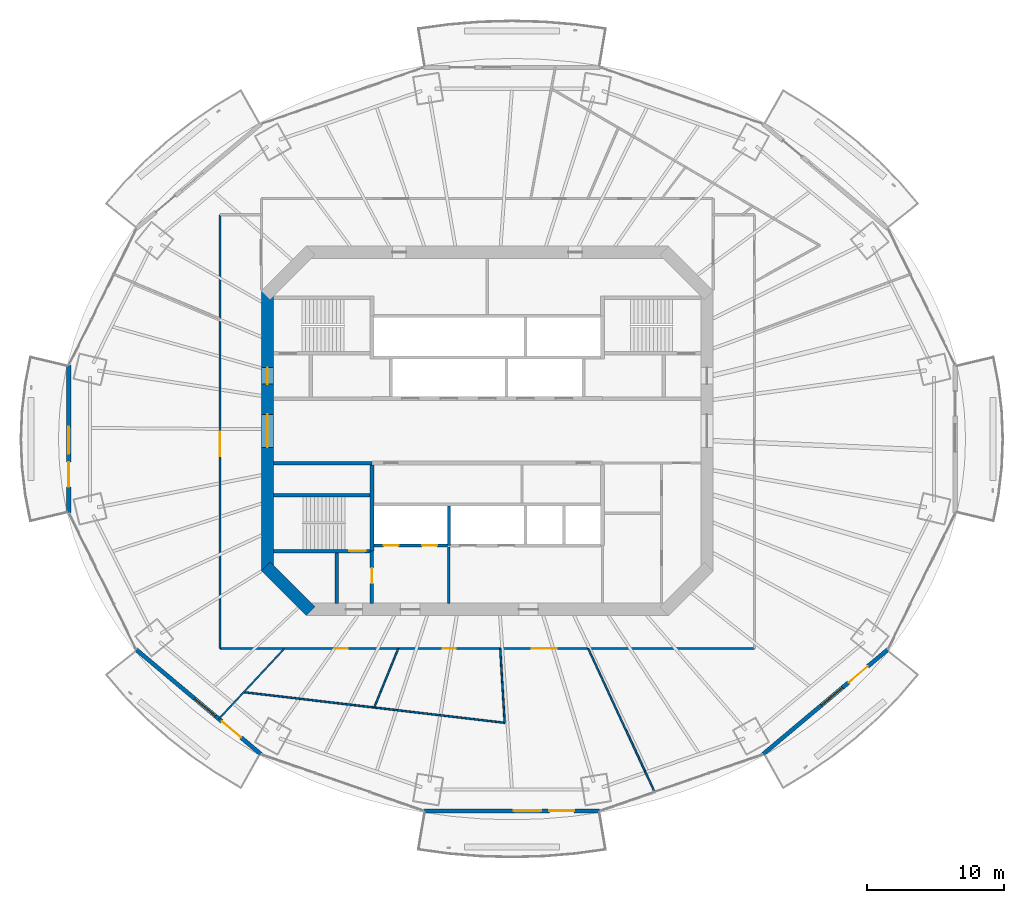
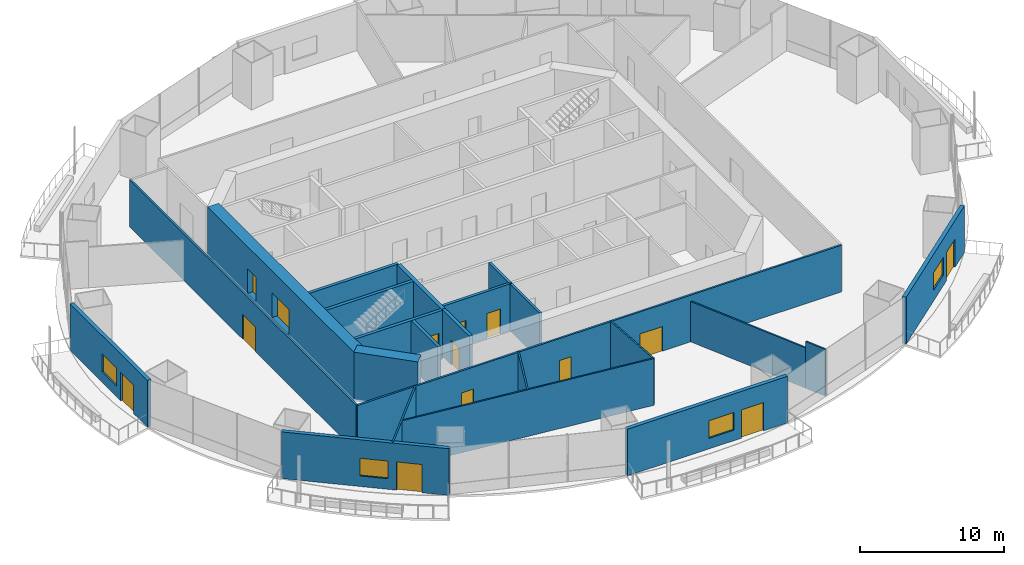
# One storey, part 12 of 21: 23 walls, 14 doors, 4 windows, 18 openings.
"""IFC4 building model written with IfcOpenShell, lengths in metres."""

from ifc_helpers import new_model, si_unit, direction, frame, frame_2d, origin, place, context, subcontext, project, spatial, rectangle, extrude, material, layer, layer_set, type_object, element, fill, save


model = new_model("IFC4")

# Units and contexts
model_context = context("Model", 3, precision=1e-05, world=origin(), true_north=direction((0.0, 1.0)))
body_context = subcontext(model_context, "Body", "Model", "MODEL_VIEW")
ifc_project = project(units=[si_unit("LENGTHUNIT", "METRE"), si_unit("AREAUNIT", "SQUARE_METRE"), si_unit("VOLUMEUNIT", "CUBIC_METRE"), si_unit("PLANEANGLEUNIT", "RADIAN"), si_unit("MASSUNIT", "GRAM", prefix="KILO")], contexts=[model_context])

# Site, building, storey
site_placement = place(None, origin())
site = spatial("IfcSite", under=ifc_project, at=site_placement, CompositionType="ELEMENT")
building_placement = place(site_placement, origin())
building = spatial("IfcBuilding", under=site, at=building_placement, Name="Marenthal Gate Tower", CompositionType="ELEMENT")
storey_placement = place(building_placement, frame((0.0, 0.0, 161.050048828125)))
storey = spatial("IfcBuildingStorey", under=building, at=storey_placement, Name="L34", CompositionType="ELEMENT", Elevation=161.050048828125)

# Wall, openings, doors
ifc_material_1 = material(Name="Concrete 60 MPa", Category="concrete")
ifc_layer_1 = layer(ifc_material_1, 0.89990234375)
ifc_layer_set_1 = layer_set([ifc_layer_1], Name="Core shear wall 900")
wall_type_1 = type_object("IfcWallType", Name="Core shear wall 900", PredefinedType="SHEAR", material=ifc_layer_set_1)
wall_1_placement = place(storey_placement, frame((-16.0, 10.186279296875, -0.179931640625), z_axis=(0.0, 0.0, 1.0), x_axis=(0.0, -1.0, 0.0)))
wall_1 = element("IfcWall", 1, at=wall_1_placement, inside=storey, type_object=wall_type_1, Name="Core wall 06", PredefinedType="SHEAR", context=body_context, shape_type="SweptSolid", body=[
    extrude(rectangle(XDim=20.37255859375, YDim=0.89990234375, at=frame_2d((10.186279296875, 0.0))), origin(), (0.0, 0.0, 1.0), 4.14990234375),
])
opening_1_placement = place(wall_1_placement, frame((8.986328125, 0.0, 0.179931640625)))
opening_1 = element("IfcOpeningElement", 2, at=opening_1_placement, cuts=wall_1, Name="Opening D003.01", PredefinedType="OPENING", context=body_context, shape_type="SweptSolid", body=[
    extrude(rectangle(XDim=2.39990234375, YDim=2.10009765625, at=frame_2d((1.199951171875, 1.050048828125))), frame((0.0, 0.4599609375, 0.0), z_axis=(0.0, -1.0, 0.0), x_axis=(1.0, 0.0, 0.0)), (0.0, 0.0, 1.0), 0.919921875),
])
opening_2_placement = place(wall_1_placement, frame((5.58642578125, 0.0, 0.179931640625)))
opening_2 = element("IfcOpeningElement", 3, at=opening_2_placement, cuts=wall_1, Name="Opening D001.04", PredefinedType="OPENING", context=body_context, shape_type="SweptSolid", body=[
    extrude(rectangle(XDim=1.199951171875, YDim=2.10009765625, at=frame_2d((0.60009765625, 1.050048828125))), frame((0.0, 0.4599609375, 0.0), z_axis=(0.0, -1.0, 0.0), x_axis=(1.0, 0.0, 0.0)), (0.0, 0.0, 1.0), 0.919921875),
])
ifc_material_2 = material(Name="Steel fire door", Category="steel")
door_type_1 = type_object("IfcDoorType", Name="Double fire door FD 45 2400 x 2100", OperationType="DOUBLE_DOOR_SINGLE_SWING", PredefinedType="DOOR", material=ifc_material_2)
door_1_placement = place(opening_1_placement, origin())
door_1 = element("IfcDoor", 4, at=door_1_placement, inside=storey, type_object=door_type_1, Name="Door D003.01", OperationType="DOUBLE_DOOR_SINGLE_SWING", OverallHeight=2.10009765625, OverallWidth=2.39990234375, PredefinedType="DOOR", context=body_context, shape_type="SweptSolid", body=[
    extrude(rectangle(XDim=2.39990234375, YDim=2.10009765625, at=frame_2d((1.199951171875, 1.050048828125))), frame((0.0, 0.02490234375, 0.0), z_axis=(0.0, -1.0, 0.0), x_axis=(1.0, 0.0, 0.0)), (0.0, 0.0, 1.0), 0.050048828125),
])
fill(opening_1, door_1)
ifc_material_3 = material(Name="Steel fire door", Category="steel")
door_type_2 = type_object("IfcDoorType", Name="Fire door FD 90 1200 x 2100", OperationType="NOTDEFINED", PredefinedType="DOOR", material=ifc_material_3)
door_2_placement = place(opening_2_placement, origin())
door_2 = element("IfcDoor", 5, at=door_2_placement, inside=storey, type_object=door_type_2, Name="Door D001.04", OperationType="SINGLE_SWING_RIGHT", OverallHeight=2.10009765625, OverallWidth=1.199951171875, PredefinedType="DOOR", context=body_context, shape_type="SweptSolid", body=[
    extrude(rectangle(XDim=1.199951171875, YDim=2.10009765625, at=frame_2d((0.60009765625, 1.050048828125))), frame((0.0, 0.02490234375, 0.0), z_axis=(0.0, -1.0, 0.0), x_axis=(1.0, 0.0, 0.0)), (0.0, 0.0, 1.0), 0.050048828125),
])
fill(opening_2, door_2)

# Walls
wall_2_placement = place(storey_placement, frame((-16.1318359375, -9.8681640625, -0.179931640625), z_axis=(0.0, 0.0, 1.0), x_axis=(0.707106781187, -0.707106781187, 0.0)))
element("IfcWall", 6, at=wall_2_placement, inside=storey, type_object=wall_type_1, Name="Core wall 07", PredefinedType="SHEAR", context=body_context, shape_type="SweptSolid", body=[
    extrude(rectangle(XDim=4.615478515625, YDim=0.89990234375, at=frame_2d((2.3076171875, 0.0))), origin(), (0.0, 0.0, 1.0), 4.14990234375),
])
ifc_material_4 = material(Name="Gypsum board on steel studs", Category="steel")
ifc_layer_2 = layer(ifc_material_4, 0.199951171875)
ifc_layer_set_2 = layer_set([ifc_layer_2], Name="Fire lobby wall 200")
wall_type_2 = type_object("IfcWallType", Name="Fire lobby wall 200", PredefinedType="PARTITIONING", material=ifc_layer_set_2)
wall_3_placement = place(storey_placement, frame((-2.800048828125, -12.550048828125, 0.0), z_axis=(0.0, 0.0, 1.0), x_axis=(0.0, 1.0, 0.0)))
element("IfcWall", 7, at=wall_3_placement, inside=storey, type_object=wall_type_2, Name="Fire wall 34", PredefinedType="PARTITIONING", context=body_context, shape_type="SweptSolid", body=[
    extrude(rectangle(XDim=4.090087890625, YDim=0.199951171875, at=frame_2d((2.044921875, 0.0))), origin(), (0.0, 0.0, 1.0), 3.969970703125),
])
ifc_material_5 = material(Name="Concrete 50 MPa", Category="concrete")
ifc_layer_3 = layer(ifc_material_5, 0.300048828125)
ifc_layer_set_3 = layer_set([ifc_layer_3], Name="Hoistway shear wall 300")
wall_type_3 = type_object("IfcWallType", Name="Hoistway shear wall 300", PredefinedType="SHEAR", material=ifc_layer_set_3)
wall_4_placement = place(storey_placement, frame((-8.39990234375, -8.75, -0.179931640625), z_axis=(0.0, 0.0, 1.0), x_axis=(0.0, 1.0, 0.0)))
element("IfcWall", 8, at=wall_4_placement, inside=storey, type_object=wall_type_3, Name="Hoistway wall 30", PredefinedType="SHEAR", context=body_context, shape_type="SweptSolid", body=[
    extrude(rectangle(XDim=6.25, YDim=0.300048828125, at=frame_2d((3.125, 0.0))), origin(), (0.0, 0.0, 1.0), 4.14990234375),
])

# Wall, openings, doors
ifc_material_6 = material(Name="Concrete 40 MPa", Category="concrete")
ifc_layer_4 = layer(ifc_material_6, 0.219970703125)
ifc_layer_set_4 = layer_set([ifc_layer_4], Name="Hoistway wall 220")
wall_type_4 = type_object("IfcWallType", Name="Hoistway wall 220", PredefinedType="STANDARD", material=ifc_layer_set_4)
wall_5_placement = place(storey_placement, frame((-8.25, -8.35009765625, 0.0), z_axis=(0.0, 0.0, 1.0), x_axis=(1.0, 0.0, 0.0)))
wall_5 = element("IfcWall", 9, at=wall_5_placement, inside=storey, type_object=wall_type_4, Name="Hoistway wall 10", PredefinedType="STANDARD", context=body_context, shape_type="SweptSolid", body=[
    extrude(rectangle(XDim=5.340087890625, YDim=0.219970703125, at=frame_2d((2.669921875, 0.0))), origin(), (0.0, 0.0, 1.0), 3.969970703125),
])
opening_3_placement = place(wall_5_placement, frame((0.699951171875, 0.0, 0.0)))
opening_3 = element("IfcOpeningElement", 10, at=opening_3_placement, cuts=wall_5, Name="Opening LD-LF1", PredefinedType="OPENING", context=body_context, shape_type="SweptSolid", body=[
    extrude(rectangle(XDim=1.10009765625, YDim=2.10009765625, at=frame_2d((0.550048828125, 1.050048828125))), frame((0.0, 0.1201171875, 0.0), z_axis=(0.0, -1.0, 0.0), x_axis=(1.0, 0.0, 0.0)), (0.0, 0.0, 1.0), 0.239990234375),
])
opening_4_placement = place(wall_5_placement, frame((3.5, 0.0, 0.0)))
opening_4 = element("IfcOpeningElement", 11, at=opening_4_placement, cuts=wall_5, Name="Opening LD-LF2", PredefinedType="OPENING", context=body_context, shape_type="SweptSolid", body=[
    extrude(rectangle(XDim=1.10009765625, YDim=2.10009765625, at=frame_2d((0.550048828125, 1.050048828125))), frame((0.0, 0.1201171875, 0.0), z_axis=(0.0, -1.0, 0.0), x_axis=(1.0, 0.0, 0.0)), (0.0, 0.0, 1.0), 0.239990234375),
])
ifc_material_7 = material(Name="Stainless steel sliding door", Category="steel")
door_type_3 = type_object("IfcDoorType", Name="Lift landing door FD 90 1100 x 2100", OperationType="DOUBLE_DOOR_SLIDING", PredefinedType="DOOR", material=ifc_material_7)
door_3_placement = place(opening_3_placement, origin())
door_3 = element("IfcDoor", 12, at=door_3_placement, inside=storey, type_object=door_type_3, Name="Lift landing door LF1", OperationType="DOUBLE_DOOR_SLIDING", OverallHeight=2.10009765625, OverallWidth=1.10009765625, PredefinedType="DOOR", context=body_context, shape_type="SweptSolid", body=[
    extrude(rectangle(XDim=1.10009765625, YDim=2.10009765625, at=frame_2d((0.550048828125, 1.050048828125))), frame((0.0, 0.02490234375, 0.0), z_axis=(0.0, -1.0, 0.0), x_axis=(1.0, 0.0, 0.0)), (0.0, 0.0, 1.0), 0.050048828125),
])
fill(opening_3, door_3)
door_4_placement = place(opening_4_placement, origin())
door_4 = element("IfcDoor", 13, at=door_4_placement, inside=storey, type_object=door_type_3, Name="Lift landing door LF2", OperationType="DOUBLE_DOOR_SLIDING", OverallHeight=2.10009765625, OverallWidth=1.10009765625, PredefinedType="DOOR", context=body_context, shape_type="SweptSolid", body=[
    extrude(rectangle(XDim=1.10009765625, YDim=2.10009765625, at=frame_2d((0.550048828125, 1.050048828125))), frame((0.0, 0.02490234375, 0.0), z_axis=(0.0, -1.0, 0.0), x_axis=(1.0, 0.0, 0.0)), (0.0, 0.0, 1.0), 0.050048828125),
])
fill(opening_4, door_4)

# Walls
wall_6_placement = place(storey_placement, frame((-2.800048828125, -8.35009765625, 0.0), z_axis=(0.0, 0.0, 1.0), x_axis=(0.0, 1.0, 0.0)))
element("IfcWall", 14, at=wall_6_placement, inside=storey, type_object=wall_type_4, Name="Hoistway wall 35", PredefinedType="STANDARD", context=body_context, shape_type="SweptSolid", body=[
    extrude(rectangle(XDim=2.89013671875, YDim=0.219970703125, at=frame_2d((1.445068359375, 0.0))), origin(), (0.0, 0.0, 1.0), 3.969970703125),
])
ifc_material_8 = material(Name="Gypsum board on steel studs", Category="steel")
ifc_layer_5 = layer(ifc_material_8, 0.1201171875)
ifc_layer_set_5 = layer_set([ifc_layer_5], Name="Partition 120")
wall_type_5 = type_object("IfcWallType", Name="Partition 120", PredefinedType="PARTITIONING", material=ifc_layer_set_5)
wall_7_placement = place(storey_placement, frame((-17.72900390625, -19.025390625, 0.0), z_axis=(0.0, 0.0, 1.0), x_axis=(0.99318471995, -0.116550899001, 0.0)))
element("IfcWall", 15, at=wall_7_placement, inside=storey, type_object=wall_type_5, Name="Partition wall 52", PredefinedType="PARTITIONING", context=body_context, shape_type="SweptSolid", body=[
    extrude(rectangle(XDim=19.124755859375, YDim=0.1201171875, at=frame_2d((9.5625, 0.0))), origin(), (0.0, 0.0, 1.0), 3.969970703125),
])
wall_8_placement = place(storey_placement, frame((-14.77001953125, -15.85009765625, 0.0), z_axis=(0.0, 0.0, 1.0), x_axis=(-0.681748932873, -0.731586216742, 0.0)))
element("IfcWall", 16, at=wall_8_placement, inside=storey, type_object=wall_type_5, Name="Partition wall 55", PredefinedType="PARTITIONING", context=body_context, shape_type="SweptSolid", body=[
    extrude(rectangle(XDim=7.000244140625, YDim=0.1201171875, at=frame_2d((3.5, 0.0))), origin(), (0.0, 0.0, 1.0), 3.969970703125),
])
wall_9_placement = place(storey_placement, frame((-8.231689453125, -20.139892578125, 0.0), z_axis=(0.0, 0.0, 1.0), x_axis=(0.378310762155, 0.925678652253, 0.0)))
element("IfcWall", 17, at=wall_9_placement, inside=storey, type_object=wall_type_5, Name="Partition wall 56", PredefinedType="PARTITIONING", context=body_context, shape_type="SweptSolid", body=[
    extrude(rectangle(XDim=4.63427734375, YDim=0.1201171875, at=frame_2d((2.317138671875, 0.0))), origin(), (0.0, 0.0, 1.0), 3.969970703125),
])
wall_10_placement = place(storey_placement, frame((1.265380859375, -21.25439453125, 0.0), z_axis=(0.0, 0.0, 1.0), x_axis=(-0.059435758529, 0.998232132627, 0.0)))
element("IfcWall", 18, at=wall_10_placement, inside=storey, type_object=wall_type_5, Name="Partition wall 57", PredefinedType="PARTITIONING", context=body_context, shape_type="SweptSolid", body=[
    extrude(rectangle(XDim=5.413818359375, YDim=0.1201171875, at=frame_2d((2.70703125, 0.0))), origin(), (0.0, 0.0, 1.0), 3.969970703125),
])
wall_11_placement = place(storey_placement, frame((7.34521484375, -15.85009765625, 0.0), z_axis=(0.0, 0.0, 1.0), x_axis=(0.420462507065, -0.90730991406, 0.0)))
element("IfcWall", 19, at=wall_11_placement, inside=storey, type_object=wall_type_5, Name="Partition wall 59", PredefinedType="PARTITIONING", context=body_context, shape_type="SweptSolid", body=[
    extrude(rectangle(XDim=9.84130859375, YDim=0.1201171875, at=frame_2d((4.920654296875, 0.0))), origin(), (0.0, 0.0, 1.0), 3.426025390625),
])
wall_12_placement = place(storey_placement, frame((11.483154296875, -24.779296875, 0.0), z_axis=(0.0, 0.0, 1.0), x_axis=(0.420419662211, -0.90732976785, 0.0)))
element("IfcWall", 20, at=wall_12_placement, inside=storey, type_object=wall_type_5, Name="Partition wall 71", PredefinedType="PARTITIONING", context=body_context, shape_type="SweptSolid", body=[
    extrude(rectangle(XDim=1.65966796875, YDim=0.1201171875, at=frame_2d((0.829833984375, 0.0))), origin(), (0.0, 0.0, 1.0), 3.969970703125),
])

# Wall, opening, door
ifc_material_9 = material(Name="Gypsum board on steel studs", Category="steel")
ifc_layer_6 = layer(ifc_material_9, 0.14990234375)
ifc_layer_set_6 = layer_set([ifc_layer_6], Name="Partition 150")
wall_type_6 = type_object("IfcWallType", Name="Partition 150", PredefinedType="PARTITIONING", material=ifc_layer_set_6)
wall_13_placement = place(storey_placement, frame((-19.449951171875, -15.85009765625, 0.0), z_axis=(0.0, 0.0, 1.0), x_axis=(0.0, 1.0, 0.0)))
wall_13 = element("IfcWall", 21, at=wall_13_placement, inside=storey, type_object=wall_type_6, Name="Partition wall 49", PredefinedType="PARTITIONING", context=body_context, shape_type="SweptSolid", body=[
    extrude(rectangle(XDim=31.581787109375, YDim=0.14990234375, at=frame_2d((15.791015625, 0.0))), origin(), (0.0, 0.0, 1.0), 3.969970703125),
])
opening_5_placement = place(wall_13_placement, frame((14.0029296875, 0.0, 0.0)))
opening_5 = element("IfcOpeningElement", 22, at=opening_5_placement, cuts=wall_13, Name="Opening D014.02", PredefinedType="OPENING", context=body_context, shape_type="SweptSolid", body=[
    extrude(rectangle(XDim=1.800048828125, YDim=2.10009765625, at=frame_2d((0.89990234375, 1.050048828125))), frame((0.0, 0.0849609375, 0.0), z_axis=(0.0, -1.0, 0.0), x_axis=(1.0, 0.0, 0.0)), (0.0, 0.0, 1.0), 0.169921875),
])
ifc_material_10 = material(Name="Timber door", Category="wood")
door_type_4 = type_object("IfcDoorType", Name="Double door 1800 x 2100", OperationType="DOUBLE_DOOR_SINGLE_SWING", PredefinedType="DOOR", material=ifc_material_10)
door_5_placement = place(opening_5_placement, origin())
door_5 = element("IfcDoor", 23, at=door_5_placement, inside=storey, type_object=door_type_4, Name="Door D014.02", OperationType="DOUBLE_DOOR_SINGLE_SWING", OverallHeight=2.10009765625, OverallWidth=1.800048828125, PredefinedType="DOOR", context=body_context, shape_type="SweptSolid", body=[
    extrude(rectangle(XDim=1.800048828125, YDim=2.10009765625, at=frame_2d((0.89990234375, 1.050048828125))), frame((0.0, 0.02490234375, 0.0), z_axis=(0.0, -1.0, 0.0), x_axis=(1.0, 0.0, 0.0)), (0.0, 0.0, 1.0), 0.050048828125),
])
fill(opening_5, door_5)

# Wall, openings, doors
wall_14_placement = place(storey_placement, frame((19.449951171875, -15.85009765625, 0.0), z_axis=(0.0, 0.0, 1.0), x_axis=(-1.0, 0.0, 0.0)))
wall_14 = element("IfcWall", 24, at=wall_14_placement, inside=storey, type_object=wall_type_6, Name="Partition wall 65", PredefinedType="PARTITIONING", context=body_context, shape_type="SweptSolid", body=[
    extrude(rectangle(XDim=38.89990234375, YDim=0.14990234375, at=frame_2d((19.449951171875, 0.0))), origin(), (0.0, 0.0, 1.0), 3.969970703125),
])
opening_6_placement = place(wall_14_placement, frame((29.59912109375, 0.0, 0.0)))
opening_6 = element("IfcOpeningElement", 25, at=opening_6_placement, cuts=wall_14, Name="Opening D016.06", PredefinedType="OPENING", context=body_context, shape_type="SweptSolid", body=[
    extrude(rectangle(XDim=0.949951171875, YDim=2.10009765625, at=frame_2d((0.47509765625, 1.050048828125))), frame((0.0, 0.0849609375, 0.0), z_axis=(0.0, -1.0, 0.0), x_axis=(1.0, 0.0, 0.0)), (0.0, 0.0, 1.0), 0.169921875),
])
opening_7_placement = place(wall_14_placement, frame((21.741943359375, 0.0, 0.0)))
opening_7 = element("IfcOpeningElement", 26, at=opening_7_placement, cuts=wall_14, Name="Opening D016.07", PredefinedType="OPENING", context=body_context, shape_type="SweptSolid", body=[
    extrude(rectangle(XDim=0.949951171875, YDim=2.10009765625, at=frame_2d((0.47509765625, 1.050048828125))), frame((0.0, 0.0849609375, 0.0), z_axis=(0.0, -1.0, 0.0), x_axis=(1.0, 0.0, 0.0)), (0.0, 0.0, 1.0), 0.169921875),
])
opening_8_placement = place(wall_14_placement, frame((14.406005859375, 0.0, 0.0)))
opening_8 = element("IfcOpeningElement", 27, at=opening_8_placement, cuts=wall_14, Name="Opening D014.03", PredefinedType="OPENING", context=body_context, shape_type="SweptSolid", body=[
    extrude(rectangle(XDim=1.800048828125, YDim=2.10009765625, at=frame_2d((0.89990234375, 1.050048828125))), frame((0.0, 0.0849609375, 0.0), z_axis=(0.0, -1.0, 0.0), x_axis=(1.0, 0.0, 0.0)), (0.0, 0.0, 1.0), 0.169921875),
])
ifc_material_11 = material(Name="Timber door", Category="wood")
door_type_5 = type_object("IfcDoorType", Name="Door 950 x 2100", OperationType="NOTDEFINED", PredefinedType="DOOR", material=ifc_material_11)
door_6_placement = place(opening_6_placement, origin())
door_6 = element("IfcDoor", 28, at=door_6_placement, inside=storey, type_object=door_type_5, Name="Door D016.06", OperationType="SINGLE_SWING_RIGHT", OverallHeight=2.10009765625, OverallWidth=0.949951171875, PredefinedType="DOOR", context=body_context, shape_type="SweptSolid", body=[
    extrude(rectangle(XDim=0.949951171875, YDim=2.10009765625, at=frame_2d((0.47509765625, 1.050048828125))), frame((0.0, 0.02490234375, 0.0), z_axis=(0.0, -1.0, 0.0), x_axis=(1.0, 0.0, 0.0)), (0.0, 0.0, 1.0), 0.050048828125),
])
fill(opening_6, door_6)
door_7_placement = place(opening_7_placement, origin())
door_7 = element("IfcDoor", 29, at=door_7_placement, inside=storey, type_object=door_type_5, Name="Door D016.07", OperationType="SINGLE_SWING_RIGHT", OverallHeight=2.10009765625, OverallWidth=0.949951171875, PredefinedType="DOOR", context=body_context, shape_type="SweptSolid", body=[
    extrude(rectangle(XDim=0.949951171875, YDim=2.10009765625, at=frame_2d((0.47509765625, 1.050048828125))), frame((0.0, 0.02490234375, 0.0), z_axis=(0.0, -1.0, 0.0), x_axis=(1.0, 0.0, 0.0)), (0.0, 0.0, 1.0), 0.050048828125),
])
fill(opening_7, door_7)
door_8_placement = place(opening_8_placement, origin())
door_8 = element("IfcDoor", 30, at=door_8_placement, inside=storey, type_object=door_type_4, Name="Door D014.03", OperationType="DOUBLE_DOOR_SINGLE_SWING", OverallHeight=2.10009765625, OverallWidth=1.800048828125, PredefinedType="DOOR", context=body_context, shape_type="SweptSolid", body=[
    extrude(rectangle(XDim=1.800048828125, YDim=2.10009765625, at=frame_2d((0.89990234375, 1.050048828125))), frame((0.0, 0.02490234375, 0.0), z_axis=(0.0, -1.0, 0.0), x_axis=(1.0, 0.0, 0.0)), (0.0, 0.0, 1.0), 0.050048828125),
])
fill(opening_8, door_8)

# Walls
ifc_material_12 = material(Name="Concrete 40 MPa", Category="concrete")
ifc_layer_7 = layer(ifc_material_12, 0.25)
ifc_layer_set_7 = layer_set([ifc_layer_7], Name="Stair enclosure wall 250")
wall_type_7 = type_object("IfcWallType", Name="Stair enclosure wall 250", PredefinedType="STANDARD", material=ifc_layer_set_7)
wall_15_placement = place(storey_placement, frame((-15.550048828125, -2.35009765625, 0.0), z_axis=(0.0, 0.0, 1.0), x_axis=(1.0, 0.0, 0.0)))
element("IfcWall", 31, at=wall_15_placement, inside=storey, type_object=wall_type_7, Name="Stair wall 15", PredefinedType="STANDARD", context=body_context, shape_type="SweptSolid", body=[
    extrude(rectangle(XDim=7.150146484375, YDim=0.25, at=frame_2d((3.5751953125, 0.0))), origin(), (0.0, 0.0, 1.0), 3.969970703125),
])
wall_16_placement = place(storey_placement, frame((-10.949951171875, -12.550048828125, 0.0), z_axis=(0.0, 0.0, 1.0), x_axis=(0.0, 1.0, 0.0)))
element("IfcWall", 32, at=wall_16_placement, inside=storey, type_object=wall_type_7, Name="Stair wall 28", PredefinedType="STANDARD", context=body_context, shape_type="SweptSolid", body=[
    extrude(rectangle(XDim=3.675048828125, YDim=0.25, at=frame_2d((1.83740234375, 0.0))), origin(), (0.0, 0.0, 1.0), 3.969970703125),
])

# Wall, opening, door
wall_17_placement = place(storey_placement, frame((-8.39990234375, -12.550048828125, 0.0), z_axis=(0.0, 0.0, 1.0), x_axis=(0.0, 1.0, 0.0)))
wall_17 = element("IfcWall", 33, at=wall_17_placement, inside=storey, type_object=wall_type_7, Name="Stair wall 29", PredefinedType="STANDARD", context=body_context, shape_type="SweptSolid", body=[
    extrude(rectangle(XDim=3.800048828125, YDim=0.25, at=frame_2d((1.89990234375, 0.0))), origin(), (0.0, 0.0, 1.0), 3.969970703125),
])
opening_9_placement = place(wall_17_placement, frame((1.449951171875, 0.0, 0.0)))
opening_9 = element("IfcOpeningElement", 34, at=opening_9_placement, cuts=wall_17, Name="Opening D002.01", PredefinedType="OPENING", context=body_context, shape_type="SweptSolid", body=[
    extrude(rectangle(XDim=1.10009765625, YDim=2.10009765625, at=frame_2d((0.550048828125, 1.050048828125))), frame((0.0, 0.135009765625, 0.0), z_axis=(0.0, -1.0, 0.0), x_axis=(1.0, 0.0, 0.0)), (0.0, 0.0, 1.0), 0.27001953125),
])
ifc_material_13 = material(Name="Steel fire door", Category="steel")
door_type_6 = type_object("IfcDoorType", Name="Fire door FD 90 1100 x 2100", OperationType="NOTDEFINED", PredefinedType="DOOR", material=ifc_material_13)
door_9_placement = place(opening_9_placement, origin())
door_9 = element("IfcDoor", 35, at=door_9_placement, inside=storey, type_object=door_type_6, Name="Door D002.01", OperationType="SINGLE_SWING_RIGHT", OverallHeight=2.10009765625, OverallWidth=1.10009765625, PredefinedType="DOOR", context=body_context, shape_type="SweptSolid", body=[
    extrude(rectangle(XDim=1.10009765625, YDim=2.10009765625, at=frame_2d((0.550048828125, 1.050048828125))), frame((0.0, 0.02490234375, 0.0), z_axis=(0.0, -1.0, 0.0), x_axis=(1.0, 0.0, 0.0)), (0.0, 0.0, 1.0), 0.050048828125),
])
fill(opening_9, door_9)

ifc_material_14 = material(Name="Concrete 50 MPa", Category="concrete")
ifc_layer_8 = layer(ifc_material_14, 0.25)
ifc_layer_set_8 = layer_set([ifc_layer_8], Name="Stair shear wall 250")
wall_type_8 = type_object("IfcWallType", Name="Stair shear wall 250", PredefinedType="SHEAR", material=ifc_layer_set_8)
wall_18_placement = place(storey_placement, frame((-15.550048828125, -8.75, -0.179931640625), z_axis=(0.0, 0.0, 1.0), x_axis=(1.0, 0.0, 0.0)))
wall_18 = element("IfcWall", 36, at=wall_18_placement, inside=storey, type_object=wall_type_8, Name="Stair wall 09", PredefinedType="SHEAR", context=body_context, shape_type="SweptSolid", body=[
    extrude(rectangle(XDim=7.0, YDim=0.25, at=frame_2d((3.5, 0.0))), origin(), (0.0, 0.0, 1.0), 4.14990234375),
])
opening_10_placement = place(wall_18_placement, frame((5.5, 0.0, 0.179931640625)))
opening_10 = element("IfcOpeningElement", 37, at=opening_10_placement, cuts=wall_18, Name="Opening D001.03", PredefinedType="OPENING", context=body_context, shape_type="SweptSolid", body=[
    extrude(rectangle(XDim=1.199951171875, YDim=2.10009765625, at=frame_2d((0.60009765625, 1.050048828125))), frame((0.0, 0.135009765625, 0.0), z_axis=(0.0, -1.0, 0.0), x_axis=(1.0, 0.0, 0.0)), (0.0, 0.0, 1.0), 0.27001953125),
])
door_10_placement = place(opening_10_placement, origin())
door_10 = element("IfcDoor", 38, at=door_10_placement, inside=storey, type_object=door_type_2, Name="Door D001.03", OperationType="SINGLE_SWING_RIGHT", OverallHeight=2.10009765625, OverallWidth=1.199951171875, PredefinedType="DOOR", context=body_context, shape_type="SweptSolid", body=[
    extrude(rectangle(XDim=1.199951171875, YDim=2.10009765625, at=frame_2d((0.60009765625, 1.050048828125))), frame((0.0, 0.02490234375, 0.0), z_axis=(0.0, -1.0, 0.0), x_axis=(1.0, 0.0, 0.0)), (0.0, 0.0, 1.0), 0.050048828125),
])
fill(opening_10, door_10)

# Wall
wall_19_placement = place(storey_placement, frame((-15.550048828125, -4.699951171875, -0.179931640625), z_axis=(0.0, 0.0, 1.0), x_axis=(1.0, 0.0, 0.0)))
element("IfcWall", 39, at=wall_19_placement, inside=storey, type_object=wall_type_8, Name="Stair wall 14", PredefinedType="SHEAR", context=body_context, shape_type="SweptSolid", body=[
    extrude(rectangle(XDim=7.0, YDim=0.25, at=frame_2d((3.5, 0.0))), origin(), (0.0, 0.0, 1.0), 4.14990234375),
])

# Wall, openings, door, window
ifc_material_15 = material(Name="Terracotta cladding on insulated concrete-block backing", Category="masonry")
ifc_layer_9 = layer(ifc_material_15, 0.300048828125)
ifc_layer_set_9 = layer_set([ifc_layer_9], Name="Terracotta facade wall 300")
wall_type_9 = type_object("IfcWallType", Name="Terracotta facade wall 300", PredefinedType="SOLIDWALL", material=ifc_layer_set_9)
wall_20_placement = place(storey_placement, frame((-30.466796875, 4.782958984375, 0.0), z_axis=(0.0, 0.0, 1.0), x_axis=(0.0, -1.0, 0.0)))
wall_20 = element("IfcWall", 40, at=wall_20_placement, inside=storey, type_object=wall_type_9, Name="Terracotta facade wall L34 bay 8", PredefinedType="SOLIDWALL", context=body_context, shape_type="SweptSolid", body=[
    extrude(rectangle(XDim=10.765869140625, YDim=0.300048828125, at=frame_2d((5.3828125, 0.0))), origin(), (0.0, 0.0, 1.0), 3.969970703125),
])
opening_11_placement = place(wall_20_placement, frame((7.06591796875, 0.0, 0.0)))
opening_11 = element("IfcOpeningElement", 41, at=opening_11_placement, cuts=wall_20, Name="Opening BD-L34-08", PredefinedType="OPENING", context=body_context, shape_type="SweptSolid", body=[
    extrude(rectangle(XDim=1.800048828125, YDim=2.39990234375, at=frame_2d((0.89990234375, 1.199951171875))), frame((0.0, 0.16015625, 0.0), z_axis=(0.0, -1.0, 0.0), x_axis=(1.0, 0.0, 0.0)), (0.0, 0.0, 1.0), 0.320068359375),
])
opening_12_placement = place(wall_20_placement, frame((4.4658203125, 0.0, 0.89990234375)))
opening_12 = element("IfcOpeningElement", 42, at=opening_12_placement, cuts=wall_20, Name="Opening WN2-L34-08", PredefinedType="OPENING", context=body_context, shape_type="SweptSolid", body=[
    extrude(rectangle(XDim=2.0, YDim=1.5, at=frame_2d((1.0, 0.75))), frame((0.0, 0.16015625, 0.0), z_axis=(0.0, -1.0, 0.0), x_axis=(1.0, 0.0, 0.0)), (0.0, 0.0, 1.0), 0.320068359375),
])
ifc_material_16 = material(Name="Aluminium and glass", Category="aluminium")
door_type_7 = type_object("IfcDoorType", Name="Balcony door 1800x2400", OperationType="DOUBLE_DOOR_SINGLE_SWING", PredefinedType="DOOR", material=ifc_material_16)
door_11_placement = place(opening_11_placement, origin())
door_11 = element("IfcDoor", 43, at=door_11_placement, inside=storey, type_object=door_type_7, Name="Balcony door L34 bay 8", OperationType="SINGLE_SWING_LEFT", OverallHeight=2.39990234375, OverallWidth=1.800048828125, PredefinedType="DOOR", context=body_context, shape_type="SweptSolid", body=[
    extrude(rectangle(XDim=1.800048828125, YDim=2.39990234375, at=frame_2d((0.89990234375, 1.199951171875))), frame((0.0, 0.02490234375, 0.0), z_axis=(0.0, -1.0, 0.0), x_axis=(1.0, 0.0, 0.0)), (0.0, 0.0, 1.0), 0.050048828125),
])
fill(opening_11, door_11)
ifc_material_17 = material(Name="Aluminium and glass", Category="aluminium")
window_type = type_object("IfcWindowType", Name="Window 2000x1500", PartitioningType="DOUBLE_PANEL_VERTICAL", PredefinedType="WINDOW", material=ifc_material_17)
window_1_placement = place(opening_12_placement, origin())
window_1 = element("IfcWindow", 44, at=window_1_placement, inside=storey, type_object=window_type, Name="Window L34 bay 8", OverallHeight=1.5, OverallWidth=2.0, PartitioningType="SINGLE_PANEL", PredefinedType="WINDOW", context=body_context, shape_type="SweptSolid", body=[
    extrude(rectangle(XDim=2.0, YDim=1.5, at=frame_2d((1.0, 0.75))), frame((0.0, 0.030029296875, 0.0), z_axis=(0.0, -1.0, 0.0), x_axis=(1.0, 0.0, 0.0)), (0.0, 0.0, 1.0), 0.06005859375),
])
fill(opening_12, window_1)

wall_21_placement = place(storey_placement, frame((-25.554443359375, -15.92919921875, 0.0), z_axis=(0.0, 0.0, 1.0), x_axis=(0.766186960617, -0.642617725697, 0.0)))
wall_21 = element("IfcWall", 45, at=wall_21_placement, inside=storey, type_object=wall_type_9, Name="Terracotta facade wall L34 bay 10", PredefinedType="SOLIDWALL", context=body_context, shape_type="SweptSolid", body=[
    extrude(rectangle(XDim=11.846435546875, YDim=0.300048828125, at=frame_2d((5.92333984375, 0.0))), origin(), (0.0, 0.0, 1.0), 3.969970703125),
])
opening_13_placement = place(wall_21_placement, frame((8.146484375, 0.0, 0.0)))
opening_13 = element("IfcOpeningElement", 46, at=opening_13_placement, cuts=wall_21, Name="Opening BD-L34-10", PredefinedType="OPENING", context=body_context, shape_type="SweptSolid", body=[
    extrude(rectangle(XDim=1.800048828125, YDim=2.39990234375, at=frame_2d((0.89990234375, 1.199951171875))), frame((0.0, 0.16015625, 0.0), z_axis=(0.0, -1.0, 0.0), x_axis=(1.0, 0.0, 0.0)), (0.0, 0.0, 1.0), 0.320068359375),
])
opening_14_placement = place(wall_21_placement, frame((5.54638671875, 0.0, 0.89990234375)))
opening_14 = element("IfcOpeningElement", 47, at=opening_14_placement, cuts=wall_21, Name="Opening WN2-L34-10", PredefinedType="OPENING", context=body_context, shape_type="SweptSolid", body=[
    extrude(rectangle(XDim=2.0, YDim=1.5, at=frame_2d((1.0, 0.75))), frame((0.0, 0.16015625, 0.0), z_axis=(0.0, -1.0, 0.0), x_axis=(1.0, 0.0, 0.0)), (0.0, 0.0, 1.0), 0.320068359375),
])
door_12_placement = place(opening_13_placement, origin())
door_12 = element("IfcDoor", 48, at=door_12_placement, inside=storey, type_object=door_type_7, Name="Balcony door L34 bay 10", OperationType="SINGLE_SWING_LEFT", OverallHeight=2.39990234375, OverallWidth=1.800048828125, PredefinedType="DOOR", context=body_context, shape_type="SweptSolid", body=[
    extrude(rectangle(XDim=1.800048828125, YDim=2.39990234375, at=frame_2d((0.89990234375, 1.199951171875))), frame((0.0, 0.02490234375, 0.0), z_axis=(0.0, -1.0, 0.0), x_axis=(1.0, 0.0, 0.0)), (0.0, 0.0, 1.0), 0.050048828125),
])
fill(opening_13, door_12)
window_2_placement = place(opening_14_placement, origin())
window_2 = element("IfcWindow", 49, at=window_2_placement, inside=storey, type_object=window_type, Name="Window L34 bay 10", OverallHeight=1.5, OverallWidth=2.0, PartitioningType="SINGLE_PANEL", PredefinedType="WINDOW", context=body_context, shape_type="SweptSolid", body=[
    extrude(rectangle(XDim=2.0, YDim=1.5, at=frame_2d((1.0, 0.75))), frame((0.0, 0.030029296875, 0.0), z_axis=(0.0, -1.0, 0.0), x_axis=(1.0, 0.0, 0.0)), (0.0, 0.0, 1.0), 0.06005859375),
])
fill(opening_14, window_2)

wall_22_placement = place(storey_placement, frame((-4.618408203125, -27.661865234375, 0.0), z_axis=(0.0, 0.0, 1.0), x_axis=(1.0, 0.0, 0.0)))
wall_22 = element("IfcWall", 50, at=wall_22_placement, inside=storey, type_object=wall_type_9, Name="Terracotta facade wall L34 bay 12", PredefinedType="SOLIDWALL", context=body_context, shape_type="SweptSolid", body=[
    extrude(rectangle(XDim=12.836669921875, YDim=0.300048828125, at=frame_2d((6.41845703125, 0.0))), origin(), (0.0, 0.0, 1.0), 3.969970703125),
])
opening_15_placement = place(wall_22_placement, frame((9.13671875, 0.0, 0.0)))
opening_15 = element("IfcOpeningElement", 51, at=opening_15_placement, cuts=wall_22, Name="Opening BD-L34-12", PredefinedType="OPENING", context=body_context, shape_type="SweptSolid", body=[
    extrude(rectangle(XDim=1.800048828125, YDim=2.39990234375, at=frame_2d((0.89990234375, 1.199951171875))), frame((0.0, 0.16015625, 0.0), z_axis=(0.0, -1.0, 0.0), x_axis=(1.0, 0.0, 0.0)), (0.0, 0.0, 1.0), 0.320068359375),
])
opening_16_placement = place(wall_22_placement, frame((6.53662109375, 0.0, 0.89990234375)))
opening_16 = element("IfcOpeningElement", 52, at=opening_16_placement, cuts=wall_22, Name="Opening WN2-L34-12", PredefinedType="OPENING", context=body_context, shape_type="SweptSolid", body=[
    extrude(rectangle(XDim=2.0, YDim=1.5, at=frame_2d((1.0, 0.75))), frame((0.0, 0.16015625, 0.0), z_axis=(0.0, -1.0, 0.0), x_axis=(1.0, 0.0, 0.0)), (0.0, 0.0, 1.0), 0.320068359375),
])
door_13_placement = place(opening_15_placement, origin())
door_13 = element("IfcDoor", 53, at=door_13_placement, inside=storey, type_object=door_type_7, Name="Balcony door L34 bay 12", OperationType="SINGLE_SWING_LEFT", OverallHeight=2.39990234375, OverallWidth=1.800048828125, PredefinedType="DOOR", context=body_context, shape_type="SweptSolid", body=[
    extrude(rectangle(XDim=1.800048828125, YDim=2.39990234375, at=frame_2d((0.89990234375, 1.199951171875))), frame((0.0, 0.02490234375, 0.0), z_axis=(0.0, -1.0, 0.0), x_axis=(1.0, 0.0, 0.0)), (0.0, 0.0, 1.0), 0.050048828125),
])
fill(opening_15, door_13)
window_3_placement = place(opening_16_placement, origin())
window_3 = element("IfcWindow", 54, at=window_3_placement, inside=storey, type_object=window_type, Name="Window L34 bay 12", OverallHeight=1.5, OverallWidth=2.0, PartitioningType="SINGLE_PANEL", PredefinedType="WINDOW", context=body_context, shape_type="SweptSolid", body=[
    extrude(rectangle(XDim=2.0, YDim=1.5, at=frame_2d((1.0, 0.75))), frame((0.0, 0.030029296875, 0.0), z_axis=(0.0, -1.0, 0.0), x_axis=(1.0, 0.0, 0.0)), (0.0, 0.0, 1.0), 0.06005859375),
])
fill(opening_16, window_3)

wall_23_placement = place(storey_placement, frame((20.07763671875, -23.5419921875, 0.0), z_axis=(0.0, 0.0, 1.0), x_axis=(0.766195470897, 0.642607578835, 0.0)))
wall_23 = element("IfcWall", 55, at=wall_23_placement, inside=storey, type_object=wall_type_9, Name="Terracotta facade wall L34 bay 14", PredefinedType="SOLIDWALL", context=body_context, shape_type="SweptSolid", body=[
    extrude(rectangle(XDim=11.8466796875, YDim=0.300048828125, at=frame_2d((5.92333984375, 0.0))), origin(), (0.0, 0.0, 1.0), 3.969970703125),
])
opening_17_placement = place(wall_23_placement, frame((8.146484375, 0.0, 0.0)))
opening_17 = element("IfcOpeningElement", 56, at=opening_17_placement, cuts=wall_23, Name="Opening BD-L34-14", PredefinedType="OPENING", context=body_context, shape_type="SweptSolid", body=[
    extrude(rectangle(XDim=1.800048828125, YDim=2.39990234375, at=frame_2d((0.89990234375, 1.199951171875))), frame((0.0, 0.16015625, 0.0), z_axis=(0.0, -1.0, 0.0), x_axis=(1.0, 0.0, 0.0)), (0.0, 0.0, 1.0), 0.320068359375),
])
opening_18_placement = place(wall_23_placement, frame((5.54638671875, 0.0, 0.89990234375)))
opening_18 = element("IfcOpeningElement", 57, at=opening_18_placement, cuts=wall_23, Name="Opening WN2-L34-14", PredefinedType="OPENING", context=body_context, shape_type="SweptSolid", body=[
    extrude(rectangle(XDim=2.0, YDim=1.5, at=frame_2d((1.0, 0.75))), frame((0.0, 0.16015625, 0.0), z_axis=(0.0, -1.0, 0.0), x_axis=(1.0, 0.0, 0.0)), (0.0, 0.0, 1.0), 0.320068359375),
])
door_14_placement = place(opening_17_placement, origin())
door_14 = element("IfcDoor", 58, at=door_14_placement, inside=storey, type_object=door_type_7, Name="Balcony door L34 bay 14", OperationType="SINGLE_SWING_LEFT", OverallHeight=2.39990234375, OverallWidth=1.800048828125, PredefinedType="DOOR", context=body_context, shape_type="SweptSolid", body=[
    extrude(rectangle(XDim=1.800048828125, YDim=2.39990234375, at=frame_2d((0.89990234375, 1.199951171875))), frame((0.0, 0.02490234375, 0.0), z_axis=(0.0, -1.0, 0.0), x_axis=(1.0, 0.0, 0.0)), (0.0, 0.0, 1.0), 0.050048828125),
])
fill(opening_17, door_14)
window_4_placement = place(opening_18_placement, origin())
window_4 = element("IfcWindow", 59, at=window_4_placement, inside=storey, type_object=window_type, Name="Window L34 bay 14", OverallHeight=1.5, OverallWidth=2.0, PartitioningType="SINGLE_PANEL", PredefinedType="WINDOW", context=body_context, shape_type="SweptSolid", body=[
    extrude(rectangle(XDim=2.0, YDim=1.5, at=frame_2d((1.0, 0.75))), frame((0.0, 0.030029296875, 0.0), z_axis=(0.0, -1.0, 0.0), x_axis=(1.0, 0.0, 0.0)), (0.0, 0.0, 1.0), 0.06005859375),
])
fill(opening_18, window_4)

save(model, "model.ifc")
